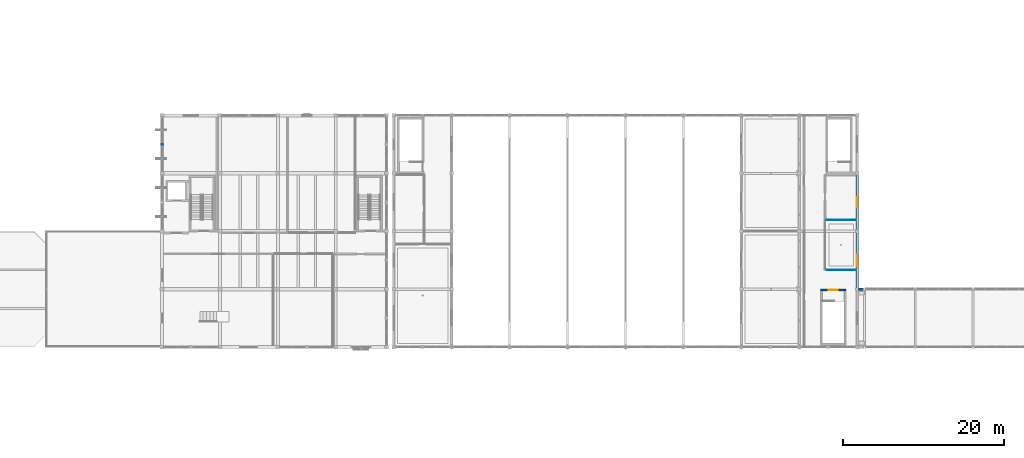
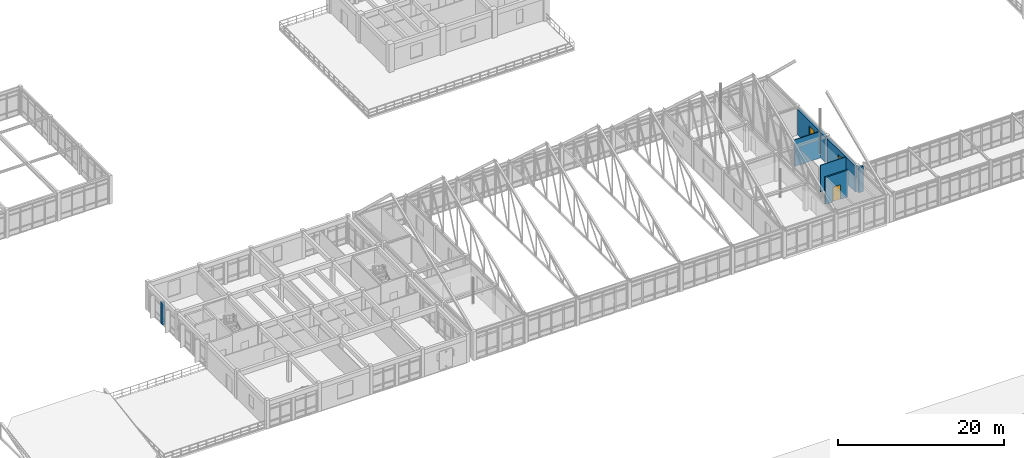
# One storey, part 112 of 136: 7 walls, 2 windows, 1 door, 3 openings.
"""IFC4 building model written with IfcOpenShell, lengths in metres."""

from ifc_helpers import new_model, si_unit, direction, frame, frame_2d, origin, place, context, subcontext, project, spatial, rectangle, extrude, material, layer, layer_set, type_object, element, fill, save


model = new_model("IFC4")

# Units and contexts
model_context = context("Model", 3, precision=1e-05, world=origin(), true_north=direction((0.0, 1.0)))
body_context = subcontext(model_context, "Body", "Model", "MODEL_VIEW")
ifc_project = project(units=[si_unit("LENGTHUNIT", "METRE"), si_unit("AREAUNIT", "SQUARE_METRE"), si_unit("VOLUMEUNIT", "CUBIC_METRE"), si_unit("PLANEANGLEUNIT", "RADIAN"), si_unit("MASSUNIT", "GRAM", prefix="KILO")], contexts=[model_context])

# Site, building, storey
site_placement = place(None, origin())
site = spatial("IfcSite", under=ifc_project, at=site_placement, CompositionType="ELEMENT")
building_placement = place(site_placement, origin())
building = spatial("IfcBuilding", under=site, at=building_placement, Name="Koriwan Promenade Central Fire Station", CompositionType="ELEMENT")
storey_placement = place(building_placement, frame((0.0, 0.0, 5.39990234375)))
storey = spatial("IfcBuildingStorey", under=building, at=storey_placement, Name="L01", CompositionType="ELEMENT", Elevation=5.39990234375)

# Walls
ifc_material_1 = material(Name="Natural sillar sandstone ashlar", Category="masonry")
ifc_layer_1 = layer(ifc_material_1, 0.360107421875, Name="Natural sillar sandstone ashlar")
ifc_layer_set_1 = layer_set([ifc_layer_1], Name="Natural sillar sandstone ashlar")
wall_type_1 = type_object("IfcWallType", Name="ExtWall_SillarBase_360", PredefinedType="SOLIDWALL", material=ifc_layer_set_1)
wall_1_placement = place(storey_placement, frame((28.800048828125, 68.60009765625, 0.0), z_axis=(0.0, 0.0, 1.0), x_axis=(0.0, -1.0, 0.0)))
element("IfcWall", 1, at=wall_1_placement, inside=storey, type_object=wall_type_1, Name="V4 L01 sillar facade mullion pier 185", PredefinedType="SOLIDWALL", context=body_context, shape_type="SweptSolid", body=[
    extrude(rectangle(XDim=0.400146484375, YDim=0.360107421875, at=frame_2d((0.2001953125, 0.0))), origin(), (0.0, 0.0, 1.0), 3.2900390625),
])
ifc_material_2 = material(Name="Precast concrete C40/50", Category="concrete")
ifc_layer_2 = layer(ifc_material_2, 0.280029296875, Name="Precast concrete C40/50")
ifc_layer_set_2 = layer_set([ifc_layer_2], Name="Precast concrete C40/50")
wall_type_2 = type_object("IfcWallType", Name="ExtWall_Terracotta_280", PredefinedType="ELEMENTEDWALL", material=ifc_layer_set_2)
wall_2_placement = place(storey_placement, frame((115.35009765625, 50.39990234375, 0.0), z_axis=(0.0, 0.0, 1.0), x_axis=(1.0, 0.0, 0.0)))
element("IfcWall", 2, at=wall_2_placement, inside=storey, type_object=wall_type_2, Name="Bridge seismic joint closure panel N-362", PredefinedType="ELEMENTEDWALL", context=body_context, shape_type="SweptSolid", body=[
    extrude(rectangle(XDim=0.625, YDim=0.280029296875, at=frame_2d((0.3125, 0.0))), origin(), (0.0, 0.0, 1.0), 3.72021484375),
])

# Wall, opening, window
ifc_layer_3 = layer(ifc_material_2, 0.320068359375, Name="Precast concrete C40/50")
ifc_layer_set_3 = layer_set([ifc_layer_3], Name="Precast concrete C40/50")
wall_type_3 = type_object("IfcWallType", Name="ExtWall_Terracotta_320", PredefinedType="ELEMENTEDWALL", material=ifc_layer_set_3)
wall_3_placement = place(storey_placement, frame((115.199951171875, 64.574951171875, 0.0), z_axis=(0.0, 0.0, 1.0), x_axis=(0.0, -1.0, 0.0)))
wall_3 = element("IfcWall", 3, at=wall_3_placement, inside=storey, type_object=wall_type_3, Name="V1 L01 exterior wall 42", PredefinedType="ELEMENTEDWALL", context=body_context, shape_type="SweptSolid", body=[
    extrude(rectangle(XDim=6.75, YDim=0.320068359375, at=frame_2d((3.375, 0.0))), origin(), (0.0, 0.0, 1.0), 3.773193359375),
])
opening_1_placement = place(wall_3_placement, frame((2.77490234375, 0.0, 0.85009765625)))
opening_1 = element("IfcOpeningElement", 4, at=opening_1_placement, cuts=wall_3, Name="Opening W-01", PredefinedType="OPENING", context=body_context, shape_type="SweptSolid", body=[
    extrude(rectangle(XDim=1.199951171875, YDim=2.199951171875, at=frame_2d((0.60009765625, 1.10009765625))), frame((0.0, 0.171875, 0.0), z_axis=(0.0, -1.0, 0.0), x_axis=(1.0, 0.0, 0.0)), (0.0, 0.0, 1.0), 0.343994140625),
])
ifc_material_3 = material(Name="Solar-control low-E laminated double glazing", Category="glass")
window_type_1 = type_object("IfcWindowType", Name="Win_Jharokha_1200x2200", PartitioningType="SINGLE_PANEL", PredefinedType="WINDOW", material=ifc_material_3)
window_1_placement = place(opening_1_placement, origin())
window_1 = element("IfcWindow", 5, at=window_1_placement, inside=storey, type_object=window_type_1, Name="V1 L01 window 0020", OverallHeight=2.199951171875, OverallWidth=1.199951171875, PartitioningType="SINGLE_PANEL", PredefinedType="WINDOW", context=body_context, shape_type="SweptSolid", body=[
    extrude(rectangle(XDim=1.199951171875, YDim=2.199951171875, at=frame_2d((0.60009765625, 1.10009765625))), frame((0.0, 0.030029296875, 0.0), z_axis=(0.0, -1.0, 0.0), x_axis=(1.0, 0.0, 0.0)), (0.0, 0.0, 1.0), 0.06005859375),
])
fill(opening_1, window_1)

wall_4_placement = place(storey_placement, frame((115.199951171875, 57.375, 0.0), z_axis=(0.0, 0.0, 1.0), x_axis=(0.0, -1.0, 0.0)))
wall_4 = element("IfcWall", 6, at=wall_4_placement, inside=storey, type_object=wall_type_3, Name="V1 L01 exterior wall 43", PredefinedType="ELEMENTEDWALL", context=body_context, shape_type="SweptSolid", body=[
    extrude(rectangle(XDim=6.75, YDim=0.320068359375, at=frame_2d((3.375, 0.0))), origin(), (0.0, 0.0, 1.0), 3.773193359375),
])
opening_2_placement = place(wall_4_placement, frame((2.625, 0.0, 0.85009765625)))
opening_2 = element("IfcOpeningElement", 7, at=opening_2_placement, cuts=wall_4, Name="Opening W-02", PredefinedType="OPENING", context=body_context, shape_type="SweptSolid", body=[
    extrude(rectangle(XDim=1.5, YDim=2.199951171875, at=frame_2d((0.75, 1.10009765625))), frame((0.0, 0.171875, 0.0), z_axis=(0.0, -1.0, 0.0), x_axis=(1.0, 0.0, 0.0)), (0.0, 0.0, 1.0), 0.343994140625),
])
window_type_2 = type_object("IfcWindowType", Name="Win_Jharokha_1500x2200", PartitioningType="SINGLE_PANEL", PredefinedType="WINDOW", material=ifc_material_3)
window_2_placement = place(opening_2_placement, origin())
window_2 = element("IfcWindow", 8, at=window_2_placement, inside=storey, type_object=window_type_2, Name="V1 L01 window 0021", OverallHeight=2.199951171875, OverallWidth=1.5, PartitioningType="SINGLE_PANEL", PredefinedType="WINDOW", context=body_context, shape_type="SweptSolid", body=[
    extrude(rectangle(XDim=1.5, YDim=2.199951171875, at=frame_2d((0.75, 1.10009765625))), frame((0.0, 0.030029296875, 0.0), z_axis=(0.0, -1.0, 0.0), x_axis=(1.0, 0.0, 0.0)), (0.0, 0.0, 1.0), 0.06005859375),
])
fill(opening_2, window_2)

# Walls
ifc_material_4 = material(Name="Gypsum board acoustic stud partition", Category="gypsum")
ifc_layer_4 = layer(ifc_material_4, 0.10009765625, Name="Gypsum board acoustic stud partition")
ifc_layer_set_4 = layer_set([ifc_layer_4], Name="Gypsum board acoustic stud partition")
wall_type_4 = type_object("IfcWallType", Name="IntWall_Drywall_100", PredefinedType="PARTITIONING", material=ifc_layer_set_4)
for number, where, z_axis, x_axis, name in (
    (9, (111.419921875, 52.800048828125, 0.0), (0.0, 0.0, 1.0), (1.0, 0.0, 0.0), "Pump Hydraulics Training Laboratory partition S"),
    (10, (111.419921875, 59.0, 0.0), (0.0, 0.0, 1.0), (1.0, 0.0, 0.0), "Pump Hydraulics Training Laboratory partition N"),
):
    element("IfcWall", number, at=place(storey_placement, frame(where, z_axis=z_axis, x_axis=x_axis)), inside=storey, type_object=wall_type_4, Name=name, PredefinedType="PARTITIONING", context=body_context, shape_type="SweptSolid", body=[
        extrude(rectangle(XDim=3.56005859375, YDim=0.10009765625, at=frame_2d((1.780029296875, 0.0))), origin(), (0.0, 0.0, 1.0), 3.920166015625),
    ])

# Wall, opening, door
ifc_material_5 = material(Name="Concrete C40/50", Category="concrete")
ifc_layer_5 = layer(ifc_material_5, 0.199951171875, Name="Concrete C40/50")
ifc_layer_set_5 = layer_set([ifc_layer_5], Name="Concrete C40/50")
wall_type_5 = type_object("IfcWallType", Name="ShearWall_200", PredefinedType="SHEAR", material=ifc_layer_set_5)
wall_5_placement = place(storey_placement, frame((110.64990234375, 50.300048828125, 0.0), z_axis=(0.0, 0.0, 1.0), x_axis=(1.0, 0.0, 0.0)))
wall_5 = element("IfcWall", 11, at=wall_5_placement, inside=storey, type_object=wall_type_5, Name="ST03 L01 structural stair wall N", PredefinedType="SHEAR", context=body_context, shape_type="SweptSolid", body=[
    extrude(rectangle(XDim=3.150146484375, YDim=0.199951171875, at=frame_2d((1.5751953125, 0.0))), origin(), (0.0, 0.0, 1.0), 3.9501953125),
])
opening_3_placement = place(wall_5_placement, frame((1.02490234375, 0.0, 0.0)))
opening_3 = element("IfcOpeningElement", 12, at=opening_3_placement, cuts=wall_5, Name="Opening SD-007", PredefinedType="OPENING", context=body_context, shape_type="SweptSolid", body=[
    extrude(rectangle(XDim=1.10009765625, YDim=2.14990234375, at=frame_2d((0.550048828125, 1.074951171875))), frame((0.0, 0.11181640625, 0.0), z_axis=(0.0, -1.0, 0.0), x_axis=(1.0, 0.0, 0.0)), (0.0, 0.0, 1.0), 0.223876953125),
])
ifc_material_6 = material(Name="Painted galvanized fire-door steel", Category="steel")
door_type = type_object("IfcDoorType", Name="FireDoor_Stair_1100x2150", OperationType="NOTDEFINED", PredefinedType="DOOR", material=ifc_material_6)
door_placement = place(opening_3_placement, frame((1.10009765625, 0.0, 0.0), z_axis=(0.0, 0.0, 1.0), x_axis=(-1.0, 0.0, 0.0)))
door = element("IfcDoor", 13, at=door_placement, inside=storey, type_object=door_type, Name="Protected Stair ST03 Fire Door SD-007", OperationType="SINGLE_SWING_RIGHT", OverallHeight=2.14990234375, OverallWidth=1.10009765625, PredefinedType="DOOR", context=body_context, shape_type="SweptSolid", body=[
    extrude(rectangle(XDim=1.10009765625, YDim=2.14990234375, at=frame_2d((0.550048828125, 1.074951171875))), frame((0.0, 0.02490234375, 0.0), z_axis=(0.0, -1.0, 0.0), x_axis=(1.0, 0.0, 0.0)), (0.0, 0.0, 1.0), 0.050048828125),
])
fill(opening_3, door)

save(model, "model.ifc")
